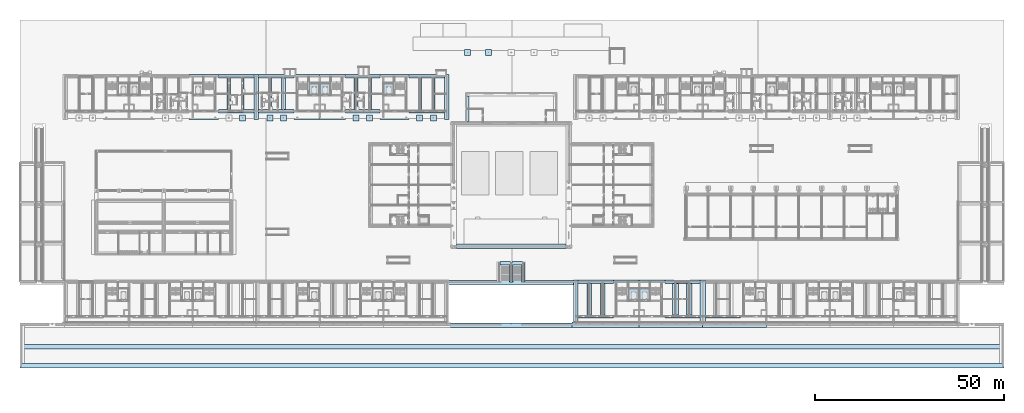
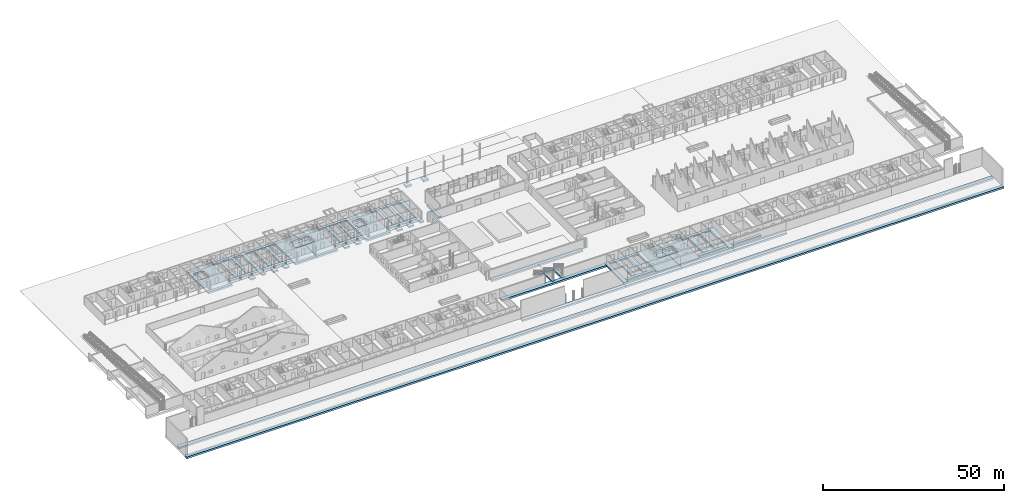
# One storey, part 3 of 112: 62 footings.
"""IFC4 building model written with IfcOpenShell, lengths in metres."""

from ifc_helpers import new_model, si_unit, direction, frame, origin, place, context, subcontext, project, spatial, polyline, outline, extrude, material, type_object, element, save


model = new_model("IFC4")

# Units and contexts
model_context = context("Model", 3, precision=1e-05, world=origin(), true_north=direction((0.0, 1.0)))
body_context = subcontext(model_context, "Body", "Model", "MODEL_VIEW")
ifc_project = project(units=[si_unit("LENGTHUNIT", "METRE"), si_unit("AREAUNIT", "SQUARE_METRE"), si_unit("VOLUMEUNIT", "CUBIC_METRE"), si_unit("PLANEANGLEUNIT", "RADIAN"), si_unit("MASSUNIT", "GRAM", prefix="KILO")], contexts=[model_context])

# Site, building, storey
site_placement = place(None, origin())
site = spatial("IfcSite", under=ifc_project, at=site_placement, CompositionType="ELEMENT")
building_placement = place(site_placement, origin())
building = spatial("IfcBuilding", under=site, at=building_placement, Name="Ridgestep Commons", CompositionType="ELEMENT")
storey_placement = place(building_placement, origin())
storey = spatial("IfcBuildingStorey", under=building, at=storey_placement, Name="L00", CompositionType="ELEMENT", Elevation=0.0)

# Footings
ifc_material_1 = material(Name="Concrete C30/37", Category="concrete")
footing_type_1 = type_object("IfcFootingType", Name="Community pad footing 1600 x 1600", PredefinedType="PAD_FOOTING", material=ifc_material_1)
footing_1_placement = place(storey_placement, frame((0.0, 0.0, -0.949951171875)))
element("IfcFooting", 1, at=footing_1_placement, inside=storey, type_object=footing_type_1, Name="Pad footing 1600 x 1600", PredefinedType="PAD_FOOTING", context=body_context, shape_type="SweptSolid", body=[
    extrude(outline(polyline([(117.5, 82.60009765625), (119.10009765625, 82.60009765625), (119.10009765625, 84.199951171875), (117.5, 84.199951171875), (117.5, 82.60009765625)])), origin(), (0.0, 0.0, 1.0), 0.699951171875),
])
footing_2_placement = place(storey_placement, frame((0.0, 0.0, -0.949951171875)))
element("IfcFooting", 2, at=footing_2_placement, inside=storey, type_object=footing_type_1, Name="Pad footing 1600 x 1600", PredefinedType="PAD_FOOTING", context=body_context, shape_type="SweptSolid", body=[
    extrude(outline(polyline([(123.0, 82.60009765625), (124.60009765625, 82.60009765625), (124.60009765625, 84.199951171875), (123.0, 84.199951171875), (123.0, 82.60009765625)])), origin(), (0.0, 0.0, 1.0), 0.699951171875),
])
ifc_material_2 = material(Name="Concrete C30/37", Category="concrete")
footing_type_2 = type_object("IfcFootingType", Name="Community stair foot pad 150", PredefinedType="PAD_FOOTING", material=ifc_material_2)
footing_3_placement = place(storey_placement, frame((0.0, 0.0, -0.14990234375)))
element("IfcFooting", 3, at=footing_3_placement, inside=storey, type_object=footing_type_2, Name="Stair foot pad 150", PredefinedType="PAD_FOOTING", context=body_context, shape_type="SweptSolid", body=[
    extrude(outline(polyline([(126.800048828125, 27.260009765625), (129.60009765625, 27.260009765625), (129.60009765625, 28.159912109375), (126.800048828125, 28.159912109375), (126.800048828125, 27.260009765625)])), origin(), (0.0, 0.0, 1.0), 0.14990234375),
])
footing_4_placement = place(storey_placement, frame((0.0, 0.0, -0.14990234375)))
element("IfcFooting", 4, at=footing_4_placement, inside=storey, type_object=footing_type_2, Name="Stair foot pad 150", PredefinedType="PAD_FOOTING", context=body_context, shape_type="SweptSolid", body=[
    extrude(outline(polyline([(130.0, 27.260009765625), (132.800048828125, 27.260009765625), (132.800048828125, 28.159912109375), (130.0, 28.159912109375), (130.0, 27.260009765625)])), origin(), (0.0, 0.0, 1.0), 0.14990234375),
])
ifc_material_3 = material(Name="Concrete C30/37", Category="concrete")
footing_type_3 = type_object("IfcFootingType", Name="Community strip footing 1200 x 600", PredefinedType="STRIP_FOOTING", material=ifc_material_3)
footing_5_placement = place(storey_placement, frame((0.0, 0.0, -0.85009765625)))
element("IfcFooting", 5, at=footing_5_placement, inside=storey, type_object=footing_type_3, Name="Community strip footing 1200 x 600", PredefinedType="STRIP_FOOTING", context=body_context, shape_type="SweptSolid", body=[
    extrude(outline(polyline([(115.300048828125, 31.60009765625), (144.300048828125, 31.60009765625), (144.300048828125, 32.800048828125), (115.300048828125, 32.800048828125), (115.300048828125, 31.60009765625)])), origin(), (0.0, 0.0, 1.0), 0.60009765625),
])
footing_6_placement = place(storey_placement, frame((0.0, 0.0, -0.85009765625)))
element("IfcFooting", 6, at=footing_6_placement, inside=storey, type_object=footing_type_3, Name="Strip footing 1200 x 600", PredefinedType="STRIP_FOOTING", context=body_context, shape_type="SweptSolid", body=[
    extrude(outline(polyline([(113.0, 22.0), (146.60009765625, 22.0), (146.60009765625, 23.199951171875), (113.0, 23.199951171875), (113.0, 22.0)])), origin(), (0.0, 0.0, 1.0), 0.60009765625),
])
footing_7_placement = place(storey_placement, frame((0.0, 0.0, -0.85009765625)))
element("IfcFooting", 7, at=footing_7_placement, inside=storey, type_object=footing_type_3, Name="Strip footing 1200 x 600", PredefinedType="STRIP_FOOTING", context=body_context, shape_type="SweptSolid", body=[
    extrude(outline(polyline([(113.0, 10.75), (146.60009765625, 10.75), (146.60009765625, 11.949951171875), (113.0, 11.949951171875), (113.0, 10.75)])), origin(), (0.0, 0.0, 1.0), 0.60009765625),
])
footing_8_placement = place(storey_placement, frame((0.0, 0.0, -0.85009765625)))
element("IfcFooting", 8, at=footing_8_placement, inside=storey, type_object=footing_type_3, Name="Strip footing 1200 x 600", PredefinedType="STRIP_FOOTING", context=body_context, shape_type="SweptSolid", body=[
    extrude(outline(polyline([(0.001953125, 0.001953125), (259.998046875, 0.001953125), (259.998046875, 1.199951171875), (0.001953125, 1.199951171875), (0.001953125, 0.001953125)])), origin(), (0.0, 0.0, 1.0), 0.60009765625),
])
footing_9_placement = place(storey_placement, frame((0.0, 0.0, -0.85009765625)))
element("IfcFooting", 9, at=footing_9_placement, inside=storey, type_object=footing_type_3, Name="Strip footing 1200 x 600", PredefinedType="STRIP_FOOTING", context=body_context, shape_type="SweptSolid", body=[
    extrude(outline(polyline([(0.39990234375, 5.10009765625), (259.60009765625, 5.10009765625), (259.60009765625, 6.300048828125), (0.39990234375, 6.300048828125), (0.39990234375, 5.10009765625)])), origin(), (0.0, 0.0, 1.0), 0.60009765625),
])
ifc_material_4 = material(Name="Concrete C30/37", Category="concrete")
footing_type_4 = type_object("IfcFootingType", Name="Community strip footing 900 x 600", PredefinedType="STRIP_FOOTING", material=ifc_material_4)
footing_10_placement = place(storey_placement, frame((0.0, 0.0, -0.85009765625)))
element("IfcFooting", 10, at=footing_10_placement, inside=storey, type_object=footing_type_4, Name="Community strip footing 900 x 600", PredefinedType="STRIP_FOOTING", context=body_context, shape_type="SweptSolid", body=[
    extrude(outline(polyline([(117.800048828125, 65.199951171875), (118.699951171875, 65.199951171875), (118.699951171875, 71.89990234375), (117.800048828125, 71.89990234375), (117.800048828125, 65.199951171875)])), origin(), (0.0, 0.0, 1.0), 0.60009765625),
])
footing_11_placement = place(storey_placement, frame((0.0, 0.0, -0.75)))
element("IfcFooting", 11, at=footing_11_placement, inside=storey, type_object=footing_type_4, Name="Strip footing 900 x 600", PredefinedType="STRIP_FOOTING", context=body_context, shape_type="SweptSolid", body=[
    extrude(outline(polyline([(132.5, 22.800048828125), (133.5, 22.800048828125), (133.5, 27.9599609375), (132.5, 27.9599609375), (132.5, 22.800048828125)])), origin(), (0.0, 0.0, 1.0), 0.60009765625),
])
footing_12_placement = place(storey_placement, frame((0.0, 0.0, -0.75)))
element("IfcFooting", 12, at=footing_12_placement, inside=storey, type_object=footing_type_4, Name="Strip footing 900 x 600", PredefinedType="STRIP_FOOTING", context=body_context, shape_type="SweptSolid", body=[
    extrude(outline(polyline([(129.35009765625, 22.800048828125), (130.25, 22.800048828125), (130.25, 27.9599609375), (129.35009765625, 27.9599609375), (129.35009765625, 22.800048828125)])), origin(), (0.0, 0.0, 1.0), 0.60009765625),
])
ifc_material_5 = material(Name="Concrete C30/37", Category="concrete")
footing_type_5 = type_object("IfcFootingType", Name="Core footing 6800 x 11075 x 800", PredefinedType="PAD_FOOTING", material=ifc_material_5)
footing_13_placement = place(storey_placement, frame((0.0, 0.0, -1.050048828125)))
element("IfcFooting", 13, at=footing_13_placement, inside=storey, type_object=footing_type_5, Name="Core footing D1C", PredefinedType="PAD_FOOTING", context=body_context, shape_type="SweptSolid", body=[
    extrude(outline(polyline([(163.60009765625, 12.25), (163.60009765625, 17.75), (160.625, 17.75), (160.625, 21.14990234375), (163.60009765625, 21.14990234375), (163.60009765625, 23.324951171875), (156.800048828125, 23.324951171875), (156.800048828125, 12.25), (163.60009765625, 12.25)])), origin(), (0.0, 0.0, 1.0), 0.800048828125),
])
footing_14_placement = place(storey_placement, frame((0.0, 0.0, -1.050048828125)))
element("IfcFooting", 14, at=footing_14_placement, inside=storey, type_object=footing_type_5, Name="Core footing D2C", PredefinedType="PAD_FOOTING", context=body_context, shape_type="SweptSolid", body=[
    extrude(outline(polyline([(163.60009765625, 23.324951171875), (163.60009765625, 21.14990234375), (166.574951171875, 21.14990234375), (166.574951171875, 17.75), (163.60009765625, 17.75), (163.60009765625, 12.25), (170.39990234375, 12.25), (170.39990234375, 23.324951171875), (163.60009765625, 23.324951171875)])), origin(), (0.0, 0.0, 1.0), 0.800048828125),
])
ifc_material_6 = material(Name="Concrete C30/37", Category="concrete")
footing_type_6 = type_object("IfcFootingType", Name="Core footing 6800 x 11925 x 600", PredefinedType="PAD_FOOTING", material=ifc_material_6)
footing_15_placement = place(storey_placement, frame((0.0, 0.0, -0.85009765625)))
element("IfcFooting", 15, at=footing_15_placement, inside=storey, type_object=footing_type_6, Name="Core footing B4C", PredefinedType="PAD_FOOTING", context=body_context, shape_type="SweptSolid", body=[
    extrude(outline(polyline([(79.199951171875, 65.64990234375), (79.199951171875, 72.0), (76.22509765625, 72.0), (76.22509765625, 75.39990234375), (79.199951171875, 75.39990234375), (79.199951171875, 77.574951171875), (72.39990234375, 77.574951171875), (72.39990234375, 65.64990234375), (79.199951171875, 65.64990234375)])), origin(), (0.0, 0.0, 1.0), 0.60009765625),
])
footing_16_placement = place(storey_placement, frame((0.0, 0.0, -0.85009765625)))
element("IfcFooting", 16, at=footing_16_placement, inside=storey, type_object=footing_type_6, Name="Core footing B5C", PredefinedType="PAD_FOOTING", context=body_context, shape_type="SweptSolid", body=[
    extrude(outline(polyline([(79.199951171875, 77.574951171875), (79.199951171875, 75.39990234375), (82.175048828125, 75.39990234375), (82.175048828125, 72.0), (79.199951171875, 72.0), (79.199951171875, 65.64990234375), (86.0, 65.64990234375), (86.0, 77.574951171875), (79.199951171875, 77.574951171875)])), origin(), (0.0, 0.0, 1.0), 0.60009765625),
])
ifc_material_7 = material(Name="Concrete C30/37", Category="concrete")
footing_type_7 = type_object("IfcFootingType", Name="Core footing 7700 x 11925 x 600", PredefinedType="PAD_FOOTING", material=ifc_material_7)
footing_17_placement = place(storey_placement, frame((0.0, 0.0, -0.85009765625)))
element("IfcFooting", 17, at=footing_17_placement, inside=storey, type_object=footing_type_7, Name="Core footing B3C", PredefinedType="PAD_FOOTING", context=body_context, shape_type="SweptSolid", body=[
    extrude(outline(polyline([(44.699951171875, 65.64990234375), (52.39990234375, 65.64990234375), (52.39990234375, 77.574951171875), (44.699951171875, 77.574951171875), (44.699951171875, 65.64990234375)]), holes=[polyline([(48.574951171875, 75.39990234375), (48.574951171875, 72.0), (45.60009765625, 72.0), (45.60009765625, 75.39990234375), (48.574951171875, 75.39990234375)])]), origin(), (0.0, 0.0, 1.0), 0.60009765625),
])
footing_18_placement = place(storey_placement, frame((0.0, 0.0, -0.85009765625)))
element("IfcFooting", 18, at=footing_18_placement, inside=storey, type_object=footing_type_7, Name="Core footing B6C", PredefinedType="PAD_FOOTING", context=body_context, shape_type="SweptSolid", body=[
    extrude(outline(polyline([(95.10009765625, 65.64990234375), (102.800048828125, 65.64990234375), (102.800048828125, 77.574951171875), (95.10009765625, 77.574951171875), (95.10009765625, 65.64990234375)]), holes=[polyline([(98.97509765625, 75.39990234375), (98.97509765625, 72.0), (96.0, 72.0), (96.0, 75.39990234375), (98.97509765625, 75.39990234375)])]), origin(), (0.0, 0.0, 1.0), 0.60009765625),
])
ifc_material_8 = material(Name="Concrete C30/37", Category="concrete")
footing_type_8 = type_object("IfcFootingType", Name="Lift pit footing 2975 x 3400 x 400", PredefinedType="PAD_FOOTING", material=ifc_material_8)
footing_19_placement = place(storey_placement, frame((0.0, 0.0, -1.800048828125)))
element("IfcFooting", 19, at=footing_19_placement, inside=storey, type_object=footing_type_8, Name="Lift pit footing B4C", PredefinedType="PAD_FOOTING", context=body_context, shape_type="SweptSolid", body=[
    extrude(outline(polyline([(79.199951171875, 72.0), (79.199951171875, 75.39990234375), (76.22509765625, 75.39990234375), (76.22509765625, 72.0), (79.199951171875, 72.0)])), origin(), (0.0, 0.0, 1.0), 0.400146484375),
])
footing_20_placement = place(storey_placement, frame((0.0, 0.0, -1.800048828125)))
element("IfcFooting", 20, at=footing_20_placement, inside=storey, type_object=footing_type_8, Name="Lift pit footing B5C", PredefinedType="PAD_FOOTING", context=body_context, shape_type="SweptSolid", body=[
    extrude(outline(polyline([(82.175048828125, 72.0), (82.175048828125, 75.39990234375), (79.199951171875, 75.39990234375), (79.199951171875, 72.0), (82.175048828125, 72.0)])), origin(), (0.0, 0.0, 1.0), 0.400146484375),
])
footing_21_placement = place(storey_placement, frame((0.0, 0.0, -1.800048828125)))
element("IfcFooting", 21, at=footing_21_placement, inside=storey, type_object=footing_type_8, Name="Lift pit footing B6C", PredefinedType="PAD_FOOTING", context=body_context, shape_type="SweptSolid", body=[
    extrude(outline(polyline([(98.97509765625, 72.0), (98.97509765625, 75.39990234375), (96.0, 75.39990234375), (96.0, 72.0), (98.97509765625, 72.0)])), origin(), (0.0, 0.0, 1.0), 0.400146484375),
])
footing_22_placement = place(storey_placement, frame((0.0, 0.0, -1.800048828125)))
element("IfcFooting", 22, at=footing_22_placement, inside=storey, type_object=footing_type_8, Name="Lift pit footing D1C", PredefinedType="PAD_FOOTING", context=body_context, shape_type="SweptSolid", body=[
    extrude(outline(polyline([(163.60009765625, 17.75), (163.60009765625, 21.14990234375), (160.625, 21.14990234375), (160.625, 17.75), (163.60009765625, 17.75)])), origin(), (0.0, 0.0, 1.0), 0.400146484375),
])
footing_23_placement = place(storey_placement, frame((0.0, 0.0, -1.800048828125)))
element("IfcFooting", 23, at=footing_23_placement, inside=storey, type_object=footing_type_8, Name="Lift pit footing D2C", PredefinedType="PAD_FOOTING", context=body_context, shape_type="SweptSolid", body=[
    extrude(outline(polyline([(166.574951171875, 17.75), (166.574951171875, 21.14990234375), (163.60009765625, 21.14990234375), (163.60009765625, 17.75), (166.574951171875, 17.75)])), origin(), (0.0, 0.0, 1.0), 0.400146484375),
])
ifc_material_9 = material(Name="Concrete C30/37", Category="concrete")
footing_type_9 = type_object("IfcFootingType", Name="Pad footing 1600 x 1600 x 500", PredefinedType="PAD_FOOTING", material=ifc_material_9)
footing_24_placement = place(storey_placement, frame((0.0, 0.0, -0.75)))
element("IfcFooting", 24, at=footing_24_placement, inside=storey, type_object=footing_type_9, Name="Pad footing B 0588", PredefinedType="PAD_FOOTING", context=body_context, shape_type="SweptSolid", body=[
    extrude(outline(polyline([(59.60009765625, 65.324951171875), (59.60009765625, 66.925048828125), (58.0, 66.925048828125), (58.0, 65.324951171875), (59.60009765625, 65.324951171875)])), origin(), (0.0, 0.0, 1.0), 0.5),
])
footing_25_placement = place(storey_placement, frame((0.0, 0.0, -0.75)))
element("IfcFooting", 25, at=footing_25_placement, inside=storey, type_object=footing_type_9, Name="Pad footing B 0660", PredefinedType="PAD_FOOTING", context=body_context, shape_type="SweptSolid", body=[
    extrude(outline(polyline([(66.800048828125, 65.324951171875), (66.800048828125, 66.925048828125), (65.199951171875, 66.925048828125), (65.199951171875, 65.324951171875), (66.800048828125, 65.324951171875)])), origin(), (0.0, 0.0, 1.0), 0.5),
])
footing_26_placement = place(storey_placement, frame((0.0, 0.0, -0.75)))
element("IfcFooting", 26, at=footing_26_placement, inside=storey, type_object=footing_type_9, Name="Pad footing B 0696", PredefinedType="PAD_FOOTING", context=body_context, shape_type="SweptSolid", body=[
    extrude(outline(polyline([(70.39990234375, 65.324951171875), (70.39990234375, 66.925048828125), (68.800048828125, 66.925048828125), (68.800048828125, 65.324951171875), (70.39990234375, 65.324951171875)])), origin(), (0.0, 0.0, 1.0), 0.5),
])
footing_27_placement = place(storey_placement, frame((0.0, 0.0, -0.75)))
element("IfcFooting", 27, at=footing_27_placement, inside=storey, type_object=footing_type_9, Name="Pad footing B 0888", PredefinedType="PAD_FOOTING", context=body_context, shape_type="SweptSolid", body=[
    extrude(outline(polyline([(89.60009765625, 65.324951171875), (89.60009765625, 66.925048828125), (88.0, 66.925048828125), (88.0, 65.324951171875), (89.60009765625, 65.324951171875)])), origin(), (0.0, 0.0, 1.0), 0.5),
])
footing_28_placement = place(storey_placement, frame((0.0, 0.0, -0.75)))
element("IfcFooting", 28, at=footing_28_placement, inside=storey, type_object=footing_type_9, Name="Pad footing B 0924", PredefinedType="PAD_FOOTING", context=body_context, shape_type="SweptSolid", body=[
    extrude(outline(polyline([(93.199951171875, 65.324951171875), (93.199951171875, 66.925048828125), (91.60009765625, 66.925048828125), (91.60009765625, 65.324951171875), (93.199951171875, 65.324951171875)])), origin(), (0.0, 0.0, 1.0), 0.5),
])
footing_29_placement = place(storey_placement, frame((0.0, 0.0, -0.75)))
element("IfcFooting", 29, at=footing_29_placement, inside=storey, type_object=footing_type_9, Name="Pad footing B 1056", PredefinedType="PAD_FOOTING", context=body_context, shape_type="SweptSolid", body=[
    extrude(outline(polyline([(106.39990234375, 65.324951171875), (106.39990234375, 66.925048828125), (104.800048828125, 66.925048828125), (104.800048828125, 65.324951171875), (106.39990234375, 65.324951171875)])), origin(), (0.0, 0.0, 1.0), 0.5),
])
footing_30_placement = place(storey_placement, frame((0.0, 0.0, -0.75)))
element("IfcFooting", 30, at=footing_30_placement, inside=storey, type_object=footing_type_9, Name="Pad footing B 1092", PredefinedType="PAD_FOOTING", context=body_context, shape_type="SweptSolid", body=[
    extrude(outline(polyline([(110.0, 65.324951171875), (110.0, 66.925048828125), (108.39990234375, 66.925048828125), (108.39990234375, 65.324951171875), (110.0, 65.324951171875)])), origin(), (0.0, 0.0, 1.0), 0.5),
])
ifc_material_10 = material(Name="Concrete C30/37", Category="concrete")
footing_type_10 = type_object("IfcFootingType", Name="Strip footing 1000 x 500", PredefinedType="STRIP_FOOTING", material=ifc_material_10)
footing_31_placement = place(storey_placement, frame((0.0, 0.0, -0.75)))
element("IfcFooting", 31, at=footing_31_placement, inside=storey, type_object=footing_type_10, Name="Strip footing B line 0660", PredefinedType="STRIP_FOOTING", context=body_context, shape_type="SweptSolid", body=[
    extrude(outline(polyline([(66.5, 68.35009765625), (66.5, 76.675048828125), (65.5, 76.675048828125), (65.5, 68.35009765625), (66.5, 68.35009765625)])), origin(), (0.0, 0.0, 1.0), 0.5),
])
footing_32_placement = place(storey_placement, frame((0.0, 0.0, -0.75)))
element("IfcFooting", 32, at=footing_32_placement, inside=storey, type_object=footing_type_10, Name="Strip footing B line 0888", PredefinedType="STRIP_FOOTING", context=body_context, shape_type="SweptSolid", body=[
    extrude(outline(polyline([(89.300048828125, 68.35009765625), (89.300048828125, 76.675048828125), (88.300048828125, 76.675048828125), (88.300048828125, 68.35009765625), (89.300048828125, 68.35009765625)])), origin(), (0.0, 0.0, 1.0), 0.5),
])
ifc_material_11 = material(Name="Concrete C30/37", Category="concrete")
footing_type_11 = type_object("IfcFootingType", Name="Strip footing 1100 x 500", PredefinedType="STRIP_FOOTING", material=ifc_material_11)
footing_33_placement = place(storey_placement, frame((0.0, 0.0, -0.75)))
element("IfcFooting", 33, at=footing_33_placement, inside=storey, type_object=footing_type_11, Name="Strip footing B line 0696", PredefinedType="STRIP_FOOTING", context=body_context, shape_type="SweptSolid", body=[
    extrude(outline(polyline([(70.14990234375, 68.35009765625), (70.14990234375, 76.675048828125), (69.050048828125, 76.675048828125), (69.050048828125, 68.35009765625), (70.14990234375, 68.35009765625)])), origin(), (0.0, 0.0, 1.0), 0.5),
])
footing_34_placement = place(storey_placement, frame((0.0, 0.0, -0.75)))
element("IfcFooting", 34, at=footing_34_placement, inside=storey, type_object=footing_type_11, Name="Strip footing D line 1504", PredefinedType="STRIP_FOOTING", context=body_context, shape_type="SweptSolid", body=[
    extrude(outline(polyline([(150.949951171875, 14.10009765625), (150.949951171875, 22.425048828125), (149.85009765625, 22.425048828125), (149.85009765625, 14.10009765625), (150.949951171875, 14.10009765625)])), origin(), (0.0, 0.0, 1.0), 0.5),
])
ifc_material_12 = material(Name="Concrete C30/37", Category="concrete")
footing_type_12 = type_object("IfcFootingType", Name="Strip footing 1200 x 500", PredefinedType="STRIP_FOOTING", material=ifc_material_12)
footing_35_placement = place(storey_placement, frame((0.0, 0.0, -0.75)))
element("IfcFooting", 35, at=footing_35_placement, inside=storey, type_object=footing_type_12, Name="Strip footing B line 0624", PredefinedType="STRIP_FOOTING", context=body_context, shape_type="SweptSolid", body=[
    extrude(outline(polyline([(63.0, 65.64990234375), (63.0, 77.574951171875), (61.800048828125, 77.574951171875), (61.800048828125, 65.64990234375), (63.0, 65.64990234375)])), origin(), (0.0, 0.0, 1.0), 0.5),
])
footing_36_placement = place(storey_placement, frame((0.0, 0.0, -0.75)))
element("IfcFooting", 36, at=footing_36_placement, inside=storey, type_object=footing_type_12, Name="Strip footing B line 1128", PredefinedType="STRIP_FOOTING", context=body_context, shape_type="SweptSolid", body=[
    extrude(outline(polyline([(113.39990234375, 65.64990234375), (113.39990234375, 77.574951171875), (112.199951171875, 77.574951171875), (112.199951171875, 65.64990234375), (113.39990234375, 65.64990234375)])), origin(), (0.0, 0.0, 1.0), 0.5),
])
footing_37_placement = place(storey_placement, frame((0.0, 0.0, -0.75)))
element("IfcFooting", 37, at=footing_37_placement, inside=storey, type_object=footing_type_12, Name="Strip footing D line 1468", PredefinedType="STRIP_FOOTING", context=body_context, shape_type="SweptSolid", body=[
    extrude(outline(polyline([(147.39990234375, 12.25), (147.39990234375, 23.324951171875), (146.199951171875, 23.324951171875), (146.199951171875, 12.25), (147.39990234375, 12.25)])), origin(), (0.0, 0.0, 1.0), 0.5),
])
footing_38_placement = place(storey_placement, frame((0.0, 0.0, -0.75)))
element("IfcFooting", 38, at=footing_38_placement, inside=storey, type_object=footing_type_12, Name="Strip footing D line 1540", PredefinedType="STRIP_FOOTING", context=body_context, shape_type="SweptSolid", body=[
    extrude(outline(polyline([(154.60009765625, 14.10009765625), (154.60009765625, 22.425048828125), (153.39990234375, 22.425048828125), (153.39990234375, 14.10009765625), (154.60009765625, 14.10009765625)])), origin(), (0.0, 0.0, 1.0), 0.5),
])
ifc_material_13 = material(Name="Concrete C30/37", Category="concrete")
footing_type_13 = type_object("IfcFootingType", Name="Strip footing 1400 x 600", PredefinedType="STRIP_FOOTING", material=ifc_material_13)
footing_39_placement = place(storey_placement, frame((0.0, 0.0, -0.85009765625)))
element("IfcFooting", 39, at=footing_39_placement, inside=storey, type_object=footing_type_13, Name="Strip footing D line 1768", PredefinedType="STRIP_FOOTING", context=body_context, shape_type="SweptSolid", body=[
    extrude(outline(polyline([(177.5, 14.10009765625), (177.5, 22.425048828125), (176.10009765625, 22.425048828125), (176.10009765625, 14.10009765625), (177.5, 14.10009765625)])), origin(), (0.0, 0.0, 1.0), 0.60009765625),
])
footing_40_placement = place(storey_placement, frame((0.0, 0.0, -0.85009765625)))
element("IfcFooting", 40, at=footing_40_placement, inside=storey, type_object=footing_type_13, Name="Strip footing D line 1804", PredefinedType="STRIP_FOOTING", context=body_context, shape_type="SweptSolid", body=[
    extrude(outline(polyline([(181.10009765625, 12.25), (181.10009765625, 23.324951171875), (179.699951171875, 23.324951171875), (179.699951171875, 12.25), (181.10009765625, 12.25)])), origin(), (0.0, 0.0, 1.0), 0.60009765625),
])
ifc_material_14 = material(Name="Concrete C30/37", Category="concrete")
footing_type_14 = type_object("IfcFootingType", Name="Strip footing 1500 x 600", PredefinedType="STRIP_FOOTING", material=ifc_material_14)
footing_41_placement = place(storey_placement, frame((0.0, 0.0, -0.85009765625)))
element("IfcFooting", 41, at=footing_41_placement, inside=storey, type_object=footing_type_14, Name="Retaining wall strip footing D south 1", PredefinedType="STRIP_FOOTING", context=body_context, shape_type="SweptSolid", body=[
    extrude(outline(polyline([(163.60009765625, 10.75), (163.60009765625, 12.25), (145.89990234375, 12.25), (145.89990234375, 10.75), (163.60009765625, 10.75)])), origin(), (0.0, 0.0, 1.0), 0.60009765625),
])
footing_42_placement = place(storey_placement, frame((0.0, 0.0, -0.85009765625)))
element("IfcFooting", 42, at=footing_42_placement, inside=storey, type_object=footing_type_14, Name="Retaining wall strip footing D south 2", PredefinedType="STRIP_FOOTING", context=body_context, shape_type="SweptSolid", body=[
    extrude(outline(polyline([(180.39990234375, 10.75), (180.39990234375, 12.25), (163.60009765625, 12.25), (163.60009765625, 10.75), (180.39990234375, 10.75)])), origin(), (0.0, 0.0, 1.0), 0.60009765625),
])
footing_43_placement = place(storey_placement, frame((0.0, 0.0, -0.85009765625)))
element("IfcFooting", 43, at=footing_43_placement, inside=storey, type_object=footing_type_14, Name="Retaining wall strip footing D south 3", PredefinedType="STRIP_FOOTING", context=body_context, shape_type="SweptSolid", body=[
    extrude(outline(polyline([(197.199951171875, 10.75), (197.199951171875, 12.25), (180.39990234375, 12.25), (180.39990234375, 10.75), (197.199951171875, 10.75)])), origin(), (0.0, 0.0, 1.0), 0.60009765625),
])
ifc_material_15 = material(Name="Concrete C30/37", Category="concrete")
footing_type_15 = type_object("IfcFootingType", Name="Strip footing 1500 x 700", PredefinedType="STRIP_FOOTING", material=ifc_material_15)
footing_44_placement = place(storey_placement, frame((0.0, 0.0, -0.949951171875)))
element("IfcFooting", 44, at=footing_44_placement, inside=storey, type_object=footing_type_15, Name="Strip footing D line 1732", PredefinedType="STRIP_FOOTING", context=body_context, shape_type="SweptSolid", body=[
    extrude(outline(polyline([(173.949951171875, 14.10009765625), (173.949951171875, 22.425048828125), (172.449951171875, 22.425048828125), (172.449951171875, 14.10009765625), (173.949951171875, 14.10009765625)])), origin(), (0.0, 0.0, 1.0), 0.699951171875),
])
ifc_material_16 = material(Name="Concrete C30/37", Category="concrete")
footing_type_16 = type_object("IfcFootingType", Name="Strip footing 900 x 500", PredefinedType="STRIP_FOOTING", material=ifc_material_16)
footing_45_placement = place(storey_placement, frame((0.0, 0.0, -0.75)))
element("IfcFooting", 45, at=footing_45_placement, inside=storey, type_object=footing_type_16, Name="Strip footing B line 0552", PredefinedType="STRIP_FOOTING", context=body_context, shape_type="SweptSolid", body=[
    extrude(outline(polyline([(55.64990234375, 68.35009765625), (55.64990234375, 76.675048828125), (54.75, 76.675048828125), (54.75, 68.35009765625), (55.64990234375, 68.35009765625)])), origin(), (0.0, 0.0, 1.0), 0.5),
])
footing_46_placement = place(storey_placement, frame((0.0, 0.0, -0.75)))
element("IfcFooting", 46, at=footing_46_placement, inside=storey, type_object=footing_type_16, Name="Strip footing B line 0588", PredefinedType="STRIP_FOOTING", context=body_context, shape_type="SweptSolid", body=[
    extrude(outline(polyline([(59.25, 68.35009765625), (59.25, 76.675048828125), (58.35009765625, 76.675048828125), (58.35009765625, 68.35009765625), (59.25, 68.35009765625)])), origin(), (0.0, 0.0, 1.0), 0.5),
])
footing_47_placement = place(storey_placement, frame((0.0, 0.0, -0.75)))
element("IfcFooting", 47, at=footing_47_placement, inside=storey, type_object=footing_type_16, Name="Strip footing B line 0924", PredefinedType="STRIP_FOOTING", context=body_context, shape_type="SweptSolid", body=[
    extrude(outline(polyline([(92.85009765625, 68.35009765625), (92.85009765625, 76.675048828125), (91.949951171875, 76.675048828125), (91.949951171875, 68.35009765625), (92.85009765625, 68.35009765625)])), origin(), (0.0, 0.0, 1.0), 0.5),
])
footing_48_placement = place(storey_placement, frame((0.0, 0.0, -0.75)))
element("IfcFooting", 48, at=footing_48_placement, inside=storey, type_object=footing_type_16, Name="Strip footing B line 1056", PredefinedType="STRIP_FOOTING", context=body_context, shape_type="SweptSolid", body=[
    extrude(outline(polyline([(106.050048828125, 68.35009765625), (106.050048828125, 76.675048828125), (105.14990234375, 76.675048828125), (105.14990234375, 68.35009765625), (106.050048828125, 68.35009765625)])), origin(), (0.0, 0.0, 1.0), 0.5),
])
footing_49_placement = place(storey_placement, frame((0.0, 0.0, -0.75)))
element("IfcFooting", 49, at=footing_49_placement, inside=storey, type_object=footing_type_16, Name="Strip footing B line 1092", PredefinedType="STRIP_FOOTING", context=body_context, shape_type="SweptSolid", body=[
    extrude(outline(polyline([(109.64990234375, 68.35009765625), (109.64990234375, 76.675048828125), (108.75, 76.675048828125), (108.75, 68.35009765625), (109.64990234375, 68.35009765625)])), origin(), (0.0, 0.0, 1.0), 0.5),
])
footing_50_placement = place(storey_placement, frame((0.0, 0.0, -0.75)))
element("IfcFooting", 50, at=footing_50_placement, inside=storey, type_object=footing_type_16, Name="Facade strip footing B N03", PredefinedType="STRIP_FOOTING", context=body_context, shape_type="SweptSolid", body=[
    extrude(outline(polyline([(61.800048828125, 76.675048828125), (61.800048828125, 77.574951171875), (52.39990234375, 77.574951171875), (52.39990234375, 76.675048828125), (61.800048828125, 76.675048828125)])), origin(), (0.0, 0.0, 1.0), 0.5),
])
footing_51_placement = place(storey_placement, frame((0.0, 0.0, -0.75)))
element("IfcFooting", 51, at=footing_51_placement, inside=storey, type_object=footing_type_16, Name="Facade strip footing B N04", PredefinedType="STRIP_FOOTING", context=body_context, shape_type="SweptSolid", body=[
    extrude(outline(polyline([(72.39990234375, 76.675048828125), (72.39990234375, 77.574951171875), (63.0, 77.574951171875), (63.0, 76.675048828125), (72.39990234375, 76.675048828125)])), origin(), (0.0, 0.0, 1.0), 0.5),
])
footing_52_placement = place(storey_placement, frame((0.0, 0.0, -0.75)))
element("IfcFooting", 52, at=footing_52_placement, inside=storey, type_object=footing_type_16, Name="Facade strip footing B N05", PredefinedType="STRIP_FOOTING", context=body_context, shape_type="SweptSolid", body=[
    extrude(outline(polyline([(95.10009765625, 76.675048828125), (95.10009765625, 77.574951171875), (86.0, 77.574951171875), (86.0, 76.675048828125), (95.10009765625, 76.675048828125)])), origin(), (0.0, 0.0, 1.0), 0.5),
])
footing_53_placement = place(storey_placement, frame((0.0, 0.0, -0.75)))
element("IfcFooting", 53, at=footing_53_placement, inside=storey, type_object=footing_type_16, Name="Facade strip footing B N06", PredefinedType="STRIP_FOOTING", context=body_context, shape_type="SweptSolid", body=[
    extrude(outline(polyline([(112.199951171875, 76.675048828125), (112.199951171875, 77.574951171875), (102.800048828125, 77.574951171875), (102.800048828125, 76.675048828125), (112.199951171875, 76.675048828125)])), origin(), (0.0, 0.0, 1.0), 0.5),
])
footing_54_placement = place(storey_placement, frame((0.0, 0.0, -0.75)))
element("IfcFooting", 54, at=footing_54_placement, inside=storey, type_object=footing_type_16, Name="Facade strip footing B S03", PredefinedType="STRIP_FOOTING", context=body_context, shape_type="SweptSolid", body=[
    extrude(outline(polyline([(61.800048828125, 67.449951171875), (61.800048828125, 68.35009765625), (52.39990234375, 68.35009765625), (52.39990234375, 67.449951171875), (61.800048828125, 67.449951171875)])), origin(), (0.0, 0.0, 1.0), 0.5),
])
footing_55_placement = place(storey_placement, frame((0.0, 0.0, -0.75)))
element("IfcFooting", 55, at=footing_55_placement, inside=storey, type_object=footing_type_16, Name="Facade strip footing B S04", PredefinedType="STRIP_FOOTING", context=body_context, shape_type="SweptSolid", body=[
    extrude(outline(polyline([(72.39990234375, 67.449951171875), (72.39990234375, 68.35009765625), (63.0, 68.35009765625), (63.0, 67.449951171875), (72.39990234375, 67.449951171875)])), origin(), (0.0, 0.0, 1.0), 0.5),
])
footing_56_placement = place(storey_placement, frame((0.0, 0.0, -0.75)))
element("IfcFooting", 56, at=footing_56_placement, inside=storey, type_object=footing_type_16, Name="Facade strip footing B S05", PredefinedType="STRIP_FOOTING", context=body_context, shape_type="SweptSolid", body=[
    extrude(outline(polyline([(95.10009765625, 67.449951171875), (95.10009765625, 68.35009765625), (86.0, 68.35009765625), (86.0, 67.449951171875), (95.10009765625, 67.449951171875)])), origin(), (0.0, 0.0, 1.0), 0.5),
])
footing_57_placement = place(storey_placement, frame((0.0, 0.0, -0.75)))
element("IfcFooting", 57, at=footing_57_placement, inside=storey, type_object=footing_type_16, Name="Facade strip footing B S06", PredefinedType="STRIP_FOOTING", context=body_context, shape_type="SweptSolid", body=[
    extrude(outline(polyline([(112.199951171875, 67.449951171875), (112.199951171875, 68.35009765625), (102.800048828125, 68.35009765625), (102.800048828125, 67.449951171875), (112.199951171875, 67.449951171875)])), origin(), (0.0, 0.0, 1.0), 0.5),
])
footing_58_placement = place(storey_placement, frame((0.0, 0.0, -0.75)))
element("IfcFooting", 58, at=footing_58_placement, inside=storey, type_object=footing_type_16, Name="Facade strip footing D N01", PredefinedType="STRIP_FOOTING", context=body_context, shape_type="SweptSolid", body=[
    extrude(outline(polyline([(156.800048828125, 22.425048828125), (156.800048828125, 23.324951171875), (147.39990234375, 23.324951171875), (147.39990234375, 22.425048828125), (156.800048828125, 22.425048828125)])), origin(), (0.0, 0.0, 1.0), 0.5),
])
footing_59_placement = place(storey_placement, frame((0.0, 0.0, -0.75)))
element("IfcFooting", 59, at=footing_59_placement, inside=storey, type_object=footing_type_16, Name="Facade strip footing D N02", PredefinedType="STRIP_FOOTING", context=body_context, shape_type="SweptSolid", body=[
    extrude(outline(polyline([(179.699951171875, 22.425048828125), (179.699951171875, 23.324951171875), (170.39990234375, 23.324951171875), (170.39990234375, 22.425048828125), (179.699951171875, 22.425048828125)])), origin(), (0.0, 0.0, 1.0), 0.5),
])
footing_60_placement = place(storey_placement, frame((0.0, 0.0, -0.75)))
element("IfcFooting", 60, at=footing_60_placement, inside=storey, type_object=footing_type_16, Name="Facade strip footing D S01", PredefinedType="STRIP_FOOTING", context=body_context, shape_type="SweptSolid", body=[
    extrude(outline(polyline([(156.800048828125, 13.199951171875), (156.800048828125, 14.10009765625), (147.39990234375, 14.10009765625), (147.39990234375, 13.199951171875), (156.800048828125, 13.199951171875)])), origin(), (0.0, 0.0, 1.0), 0.5),
])
footing_61_placement = place(storey_placement, frame((0.0, 0.0, -0.75)))
element("IfcFooting", 61, at=footing_61_placement, inside=storey, type_object=footing_type_16, Name="Facade strip footing D S02", PredefinedType="STRIP_FOOTING", context=body_context, shape_type="SweptSolid", body=[
    extrude(outline(polyline([(179.699951171875, 13.199951171875), (179.699951171875, 14.10009765625), (170.39990234375, 14.10009765625), (170.39990234375, 13.199951171875), (179.699951171875, 13.199951171875)])), origin(), (0.0, 0.0, 1.0), 0.5),
])
footing_62_placement = place(storey_placement, frame((0.0, 0.0, -0.75)))
element("IfcFooting", 62, at=footing_62_placement, inside=storey, type_object=footing_type_16, Name="Facade strip footing D S03", PredefinedType="STRIP_FOOTING", context=body_context, shape_type="SweptSolid", body=[
    extrude(outline(polyline([(190.39990234375, 13.199951171875), (190.39990234375, 14.10009765625), (181.10009765625, 14.10009765625), (181.10009765625, 13.199951171875), (190.39990234375, 13.199951171875)])), origin(), (0.0, 0.0, 1.0), 0.5),
])

save(model, "model.ifc")
